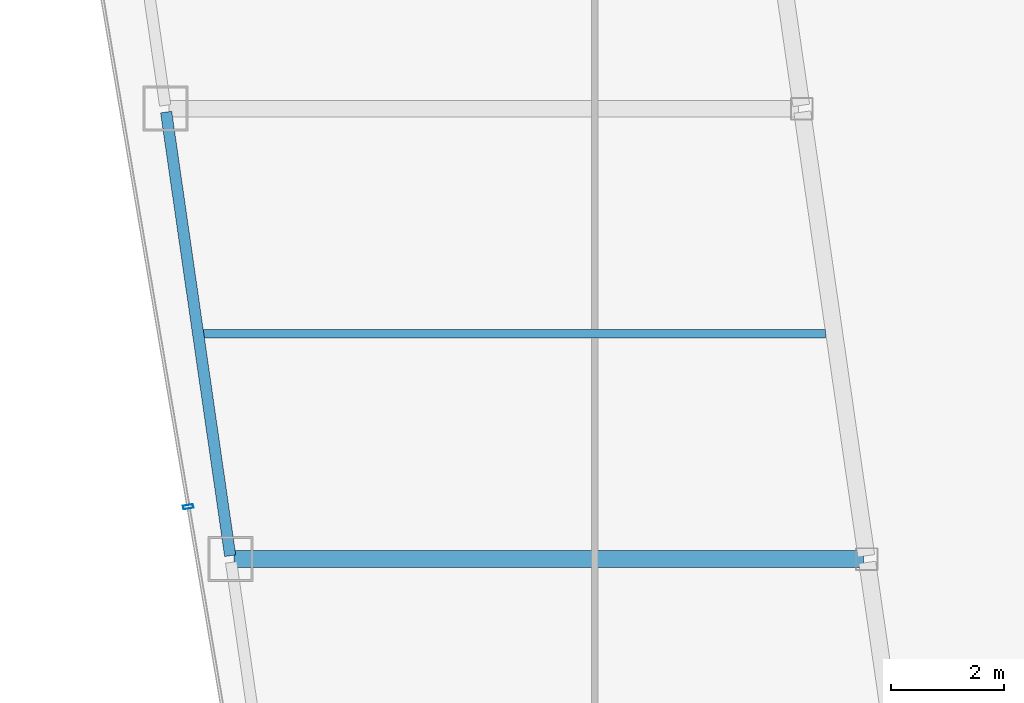
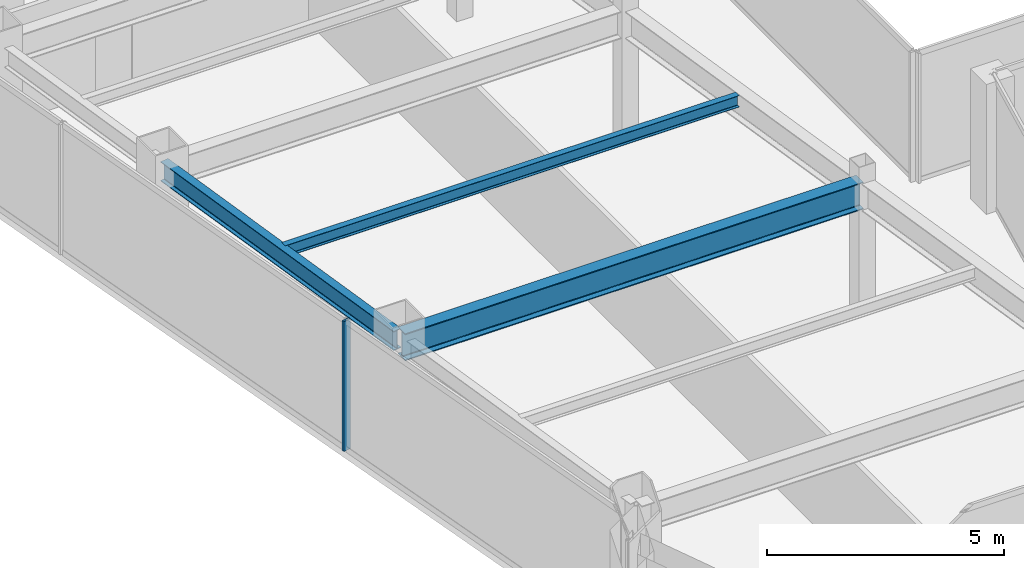
# One storey, part 5 of 34: 3 beams, 1 member, 1 element without a shape of its own.
"""IFC4 building model written with IfcOpenShell, lengths in metres."""

from ifc_helpers import new_model, si_unit, direction, frame, origin, origin_2d, place, context, subcontext, project, spatial, hollow_rectangle, i_section, extrude, material, material_profile, profile_set, type_object, element, aggregate, save


model = new_model("IFC4")

# Units and contexts
model_context = context("Model", 3, precision=1e-05, world=origin(), true_north=direction((0.0, 1.0)))
body_context = subcontext(model_context, "Body", "Model", "MODEL_VIEW")
ifc_project = project(units=[si_unit("LENGTHUNIT", "METRE"), si_unit("AREAUNIT", "SQUARE_METRE"), si_unit("VOLUMEUNIT", "CUBIC_METRE"), si_unit("PLANEANGLEUNIT", "RADIAN"), si_unit("MASSUNIT", "GRAM", prefix="KILO")], contexts=[model_context])

# Site, building, storey
site_placement = place(None, origin())
site = spatial("IfcSite", under=ifc_project, at=site_placement, CompositionType="ELEMENT")
building_placement = place(site_placement, origin())
building = spatial("IfcBuilding", under=site, at=building_placement, Name="Saevonmaru Cultural Tower", CompositionType="ELEMENT")
storey_placement = place(building_placement, frame((0.0, 0.0, 220.800048828125)))
storey = spatial("IfcBuildingStorey", under=building, at=storey_placement, Name="L51", CompositionType="ELEMENT", Elevation=220.800048828125)

# Beams
ifc_material_1 = material(Name="Steel SM355", Category="steel")
ifc_material_profile_1 = material_profile(ifc_material_1, i_section(OverallWidth=0.300048828125, OverallDepth=0.699951171875, WebThickness=0.012939453125, FlangeThickness=0.02392578125, FilletRadius=0.02587890625, at=origin_2d()), Name="H-700x300x13x24")
ifc_profile_set_1 = profile_set([ifc_material_profile_1], Name="Steel SM355")
beam_type_1 = type_object("IfcBeamType", Name="BM-G-H700", PredefinedType="BEAM", material=ifc_profile_set_1)
beam_1_placement = place(storey_placement, frame((9.531982421875, 24.0, 3.0), z_axis=(1.0, 0.0, 0.0), x_axis=(0.0, 1.0, 0.0)))
element("IfcBeam", 1, at=beam_1_placement, inside=storey, type_object=beam_type_1, Name="L51 West Wing Transverse Girder 2", PredefinedType="BEAM", context=body_context, shape_type="SweptSolid", body=[
    extrude(i_section(OverallWidth=0.300048828125, OverallDepth=0.699951171875, WebThickness=0.012939453125, FlangeThickness=0.02392578125, FilletRadius=0.02587890625, at=origin_2d()), origin(), (0.0, 0.0, 1.0), 11.179931640625),
])
ifc_material_profile_2 = material_profile(ifc_material_1, i_section(OverallWidth=0.14990234375, OverallDepth=0.300048828125, WebThickness=0.006591796875, FlangeThickness=0.009033203125, FilletRadius=0.012939453125, at=origin_2d()), Name="H-300x150x6.5x9")
ifc_profile_set_2 = profile_set([ifc_material_profile_2], Name="Steel SM355")
beam_type_2 = type_object("IfcBeamType", Name="BM-J-H300", PredefinedType="JOIST", material=ifc_profile_set_2)
beam_2_placement = place(storey_placement, frame((8.95458984375, 28.0, 3.199951171875), z_axis=(1.0, 0.0, 0.0), x_axis=(0.0, 1.0, 0.0)))
element("IfcBeam", 2, at=beam_2_placement, inside=storey, type_object=beam_type_2, Name="L51 West Wing Floor Joist 2", PredefinedType="JOIST", context=body_context, shape_type="SweptSolid", body=[
    extrude(i_section(OverallWidth=0.14990234375, OverallDepth=0.300048828125, WebThickness=0.006591796875, FlangeThickness=0.009033203125, FilletRadius=0.012939453125, at=origin_2d()), origin(), (0.0, 0.0, 1.0), 11.08203125),
])
ifc_material_profile_3 = material_profile(ifc_material_1, i_section(OverallWidth=0.199951171875, OverallDepth=0.5, WebThickness=0.010009765625, FlangeThickness=0.01611328125, FilletRadius=0.02001953125, at=origin_2d()), Name="H-500x200x10x16")
ifc_profile_set_3 = profile_set([ifc_material_profile_3], Name="Steel SM355")
beam_type_3 = type_object("IfcBeamType", Name="BM-SP-H500", PredefinedType="SPANDREL", material=ifc_profile_set_3)
beam_3_placement = place(storey_placement, frame((9.46337890625, 24.059326171875, 3.099853515625), z_axis=(-0.142871999001, 0.989741174197, 0.0), x_axis=(-0.989741174197, -0.142871999001, 0.0)))
element("IfcBeam", 3, at=beam_3_placement, inside=storey, type_object=beam_type_3, Name="L51 West Splayed Spandrel 2", PredefinedType="SPANDREL", context=body_context, shape_type="SweptSolid", body=[
    extrude(i_section(OverallWidth=0.199951171875, OverallDepth=0.5, WebThickness=0.010009765625, FlangeThickness=0.01611328125, FilletRadius=0.02001953125, at=origin_2d()), origin(), (0.0, 0.0, 1.0), 7.963134765625),
])

# Curtain wall, member
ifc_material_2 = material(Name="Satin Bronze Anodised Aluminium", Category="aluminium")
curtain_wall_type = type_object("IfcCurtainWallType", Name="CW-TYP-B", PredefinedType="NOTDEFINED", material=ifc_material_2)
curtain_wall_placement = place(storey_placement, origin())
curtain_wall = element("IfcCurtainWall", 4, at=curtain_wall_placement, inside=storey, type_object=curtain_wall_type, Name="L51 Unitised Curtain Wall E12", PredefinedType="NOTDEFINED")
ifc_material_profile_4 = material_profile(ifc_material_2, hollow_rectangle(XDim=0.06494140625, YDim=0.179931640625, WallThickness=0.00390625, at=origin_2d()), Name="ALU-MULL-180x65x4")
ifc_profile_set_4 = profile_set([ifc_material_profile_4], Name="Satin Bronze Anodised Aluminium")
member_type = type_object("IfcMemberType", Name="ML-CW-180x65", PredefinedType="MULLION", material=ifc_profile_set_4)
member_placement = place(storey_placement, frame((8.71826171875, 24.9296875, 0.0), z_axis=(0.0, 0.0, 1.0), x_axis=(0.16692169721, -0.985970155228, 0.0)))
member = element("IfcMember", 5, at=member_placement, type_object=member_type, Name="CW-TW-L51-E12 mullion 4", PredefinedType="MULLION", context=body_context, shape_type="SweptSolid", body=[
    extrude(hollow_rectangle(XDim=0.06494140625, YDim=0.179931640625, WallThickness=0.00390625, at=origin_2d()), origin(), (0.0, 0.0, 1.0), 3.349853515625),
])
aggregate(curtain_wall, [member])

save(model, "model.ifc")
